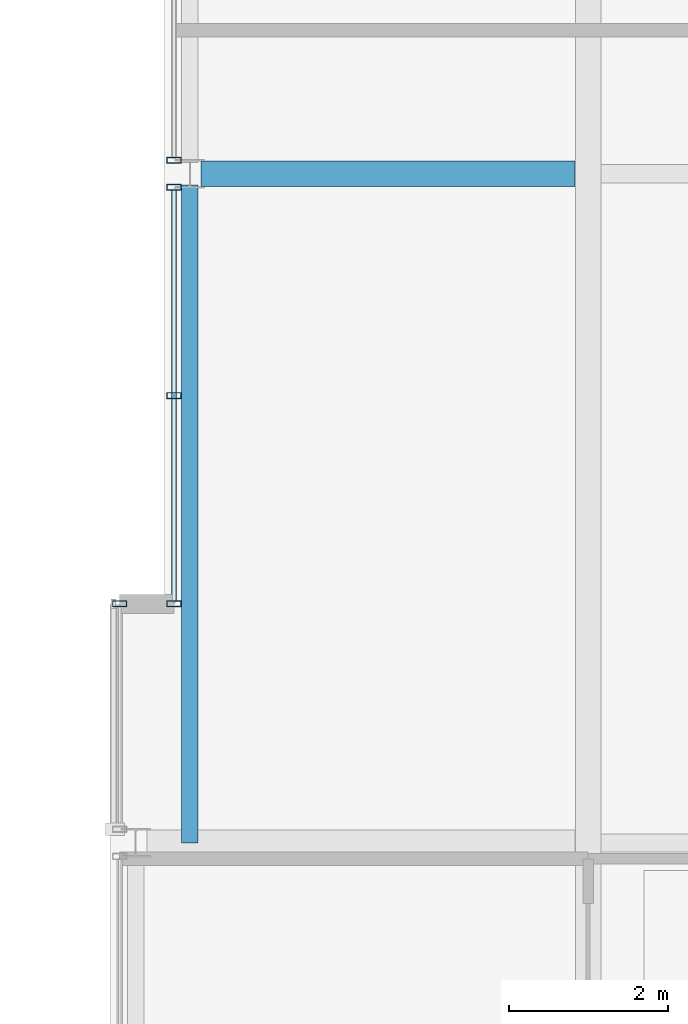
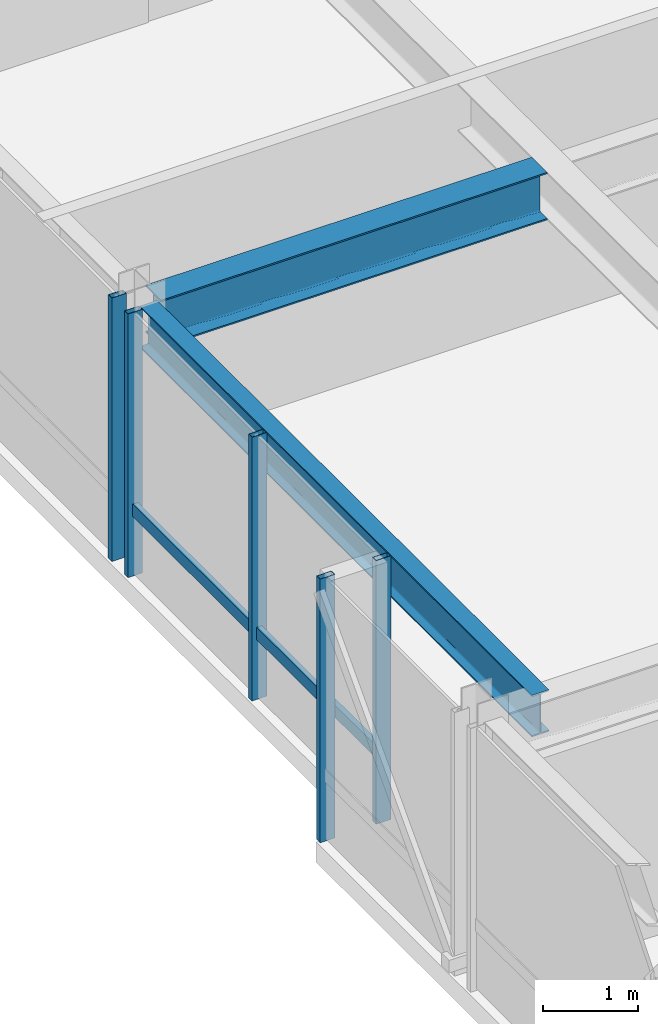
# One storey, part 11 of 33: 6 members, 2 beams, 3 elements without a shape of their own.
"""IFC4 building model written with IfcOpenShell, lengths in metres."""

from ifc_helpers import new_model, si_unit, direction, frame, origin, origin_2d, place, context, subcontext, project, spatial, hollow_rectangle, i_section, extrude, material, layer, layer_set, material_profile, profile_set, type_object, element, aggregate, save


model = new_model("IFC4")

# Units and contexts
model_context = context("Model", 3, precision=1e-05, world=origin(), true_north=direction((0.0, 1.0)))
body_context = subcontext(model_context, "Body", "Model", "MODEL_VIEW")
ifc_project = project(units=[si_unit("LENGTHUNIT", "METRE"), si_unit("AREAUNIT", "SQUARE_METRE"), si_unit("VOLUMEUNIT", "CUBIC_METRE"), si_unit("PLANEANGLEUNIT", "RADIAN"), si_unit("MASSUNIT", "GRAM", prefix="KILO")], contexts=[model_context])

# Site, building, storey
site_placement = place(None, origin())
site = spatial("IfcSite", under=ifc_project, at=site_placement, CompositionType="ELEMENT")
building_placement = place(site_placement, origin())
building = spatial("IfcBuilding", under=site, at=building_placement, Name="Drelvath Grand Hotel", CompositionType="ELEMENT")
storey_placement = place(building_placement, frame((0.0, 0.0, 275.949951171875)))
storey = spatial("IfcBuildingStorey", under=building, at=storey_placement, Name="L72", CompositionType="ELEMENT", Elevation=275.949951171875)

# Curtain wall, member
ifc_material_1 = material(Name="Platinum-Mist Anodised Aluminium Frame", Category="aluminium")
ifc_layer = layer(ifc_material_1, 0.199951171875)
ifc_layer_set = layer_set([ifc_layer], Name="Platinum-Mist Anodised Aluminium Frame")
curtain_wall_type = type_object("IfcCurtainWallType", Name="Stick Curtain Wall CW-05 Platinum Mist High-Rise", PredefinedType="NOTDEFINED", material=ifc_layer_set)
curtain_wall_1_placement = place(storey_placement, origin())
curtain_wall_1 = element("IfcCurtainWall", 1, at=curtain_wall_1_placement, inside=storey, type_object=curtain_wall_type, Name="L72 CW-05 Curtain Wall CW05-L72-WM1", PredefinedType="NOTDEFINED")
ifc_material_profile_1 = material_profile(ifc_material_1, hollow_rectangle(XDim=0.06494140625, YDim=0.159912109375, WallThickness=0.00390625, at=origin_2d()), Name="HSS160X65X4")
ifc_profile_set_1 = profile_set([ifc_material_profile_1], Name="Platinum-Mist Anodised Aluminium Frame")
member_type_1 = type_object("IfcMemberType", Name="Curtain Wall Horizontal Transom CW-05 HSS160X65X4", PredefinedType="USERDEFINED", material=ifc_profile_set_1)
member_1_placement = place(storey_placement, frame((-21.39990234375, 21.639892578125, 0.84765625), z_axis=(0.0, 1.0, 0.0), x_axis=(-1.0, 0.0, 0.0)))
member_1 = element("IfcMember", 2, at=member_1_placement, type_object=member_type_1, Name="CW05-L72-WM1 Sill Transom", ObjectType="TRANSOM", PredefinedType="USERDEFINED", context=body_context, shape_type="SweptSolid", body=[
    extrude(hollow_rectangle(XDim=0.06494140625, YDim=0.159912109375, WallThickness=0.00390625, at=origin_2d()), origin(), (0.0, 0.0, 1.0), 5.150146484375),
])

curtain_wall_2_placement = place(storey_placement, origin())
curtain_wall_2 = element("IfcCurtainWall", 3, at=curtain_wall_2_placement, inside=storey, type_object=curtain_wall_type, Name="L72 CW-05 Curtain Wall CW05-L72-WS2", PredefinedType="NOTDEFINED")
ifc_material_profile_2 = material_profile(ifc_material_1, hollow_rectangle(XDim=0.074951171875, YDim=0.179931640625, WallThickness=0.0048828125, at=origin_2d()), Name="HSS180X75X5")
ifc_profile_set_2 = profile_set([ifc_material_profile_2], Name="Platinum-Mist Anodised Aluminium Frame")
member_type_2 = type_object("IfcMemberType", Name="Curtain Wall Vertical Mullion CW-05 HSS180X75X5", PredefinedType="MULLION", material=ifc_profile_set_2)
member_2_placement = place(storey_placement, frame((-22.080078125, 21.60009765625, 0.0), z_axis=(0.0, 0.0, 1.0), x_axis=(0.0, 1.0, 0.0)))
member_2 = element("IfcMember", 4, at=member_2_placement, type_object=member_type_2, Name="CW05-L72-WS2 Mullion 2", PredefinedType="MULLION", context=body_context, shape_type="SweptSolid", body=[
    extrude(hollow_rectangle(XDim=0.074951171875, YDim=0.179931640625, WallThickness=0.0048828125, at=origin_2d()), origin(), (0.0, 0.0, 1.0), 3.39013671875),
])
aggregate(curtain_wall_2, [member_2])

# Member
member_3_placement = place(storey_placement, frame((-21.39990234375, 21.60009765625, 0.0), z_axis=(0.0, 0.0, 1.0), x_axis=(0.0, 1.0, 0.0)))
member_3 = element("IfcMember", 5, at=member_3_placement, type_object=member_type_2, Name="CW05-L72-WM1 Mullion 1", PredefinedType="MULLION", context=body_context, shape_type="SweptSolid", body=[
    extrude(hollow_rectangle(XDim=0.074951171875, YDim=0.179931640625, WallThickness=0.0048828125, at=origin_2d()), origin(), (0.0, 0.0, 1.0), 3.39013671875),
])

member_4_placement = place(storey_placement, frame((-21.39990234375, 24.215087890625, 0.0), z_axis=(0.0, 0.0, 1.0), x_axis=(0.0, 1.0, 0.0)))
member_4 = element("IfcMember", 6, at=member_4_placement, type_object=member_type_2, Name="CW05-L72-WM1 Mullion 2", PredefinedType="MULLION", context=body_context, shape_type="SweptSolid", body=[
    extrude(hollow_rectangle(XDim=0.074951171875, YDim=0.179931640625, WallThickness=0.0048828125, at=origin_2d()), origin(), (0.0, 0.0, 1.0), 3.39013671875),
])

member_5_placement = place(storey_placement, frame((-21.39990234375, 26.830078125, 0.0), z_axis=(0.0, 0.0, 1.0), x_axis=(0.0, 1.0, 0.0)))
member_5 = element("IfcMember", 7, at=member_5_placement, type_object=member_type_2, Name="CW05-L72-WM1 Mullion 3", PredefinedType="MULLION", context=body_context, shape_type="SweptSolid", body=[
    extrude(hollow_rectangle(XDim=0.074951171875, YDim=0.179931640625, WallThickness=0.0048828125, at=origin_2d()), origin(), (0.0, 0.0, 1.0), 3.39013671875),
])

aggregate(curtain_wall_1, [member_3, member_4, member_5, member_1])

# Curtain wall, member
curtain_wall_3_placement = place(storey_placement, origin())
curtain_wall_3 = element("IfcCurtainWall", 8, at=curtain_wall_3_placement, inside=storey, type_object=curtain_wall_type, Name="L72 CW-05 Curtain Wall CW05-L72-WM2", PredefinedType="NOTDEFINED")
member_6_placement = place(storey_placement, frame((-21.39990234375, 27.169921875, 0.0), z_axis=(0.0, 0.0, 1.0), x_axis=(0.0, 1.0, 0.0)))
member_6 = element("IfcMember", 9, at=member_6_placement, type_object=member_type_2, Name="CW05-L72-WM2 Mullion 1", PredefinedType="MULLION", context=body_context, shape_type="SweptSolid", body=[
    extrude(hollow_rectangle(XDim=0.074951171875, YDim=0.179931640625, WallThickness=0.0048828125, at=origin_2d()), origin(), (0.0, 0.0, 1.0), 3.39013671875),
])
aggregate(curtain_wall_3, [member_6])

# Beams
ifc_material_2 = material(Name="Steel ASTM A992 Gr 50", Category="steel")
ifc_material_profile_3 = material_profile(ifc_material_2, i_section(OverallWidth=0.210205078125, OverallDepth=0.53662109375, WebThickness=0.010986328125, FlangeThickness=0.017333984375, FilletRadius=0.01806640625, at=origin_2d()), Name="W21X68")
ifc_profile_set_3 = profile_set([ifc_material_profile_3], Name="Steel ASTM A992 Gr 50")
beam_type_1 = type_object("IfcBeamType", Name="Perimeter Spandrel Beam W21X68", PredefinedType="SPANDREL", material=ifc_profile_set_3)
beam_1_placement = place(storey_placement, frame((-21.199951171875, 18.60009765625, 3.12158203125), z_axis=(0.0, 1.0, 0.0), x_axis=(-1.0, 0.0, 0.0)))
element("IfcBeam", 10, at=beam_1_placement, inside=storey, type_object=beam_type_1, Name="L72 Spandrel West Mid S", PredefinedType="SPANDREL", context=body_context, shape_type="SweptSolid", body=[
    extrude(i_section(OverallWidth=0.210205078125, OverallDepth=0.53662109375, WebThickness=0.010986328125, FlangeThickness=0.017333984375, FilletRadius=0.01806640625, at=origin_2d()), origin(), (0.0, 0.0, 1.0), 8.260009765625),
])
ifc_material_profile_4 = material_profile(ifc_material_2, i_section(OverallWidth=0.323974609375, OverallDepth=0.611083984375, WebThickness=0.0126953125, FlangeThickness=0.01904296875, FilletRadius=0.02197265625, at=origin_2d()), Name="W24X104")
ifc_profile_set_4 = profile_set([ifc_material_profile_4], Name="Steel ASTM A992 Gr 50")
beam_type_2 = type_object("IfcBeamType", Name="Primary Floor Girder W24X104", PredefinedType="BEAM", material=ifc_profile_set_4)
beam_2_placement = place(storey_placement, frame((-21.06005859375, 27.0, 3.08447265625), z_axis=(1.0, 0.0, 0.0), x_axis=(0.0, 1.0, 0.0)))
element("IfcBeam", 11, at=beam_2_placement, inside=storey, type_object=beam_type_2, Name="L72 West Wing Girder E", PredefinedType="BEAM", context=body_context, shape_type="SweptSolid", body=[
    extrude(i_section(OverallWidth=0.323974609375, OverallDepth=0.611083984375, WebThickness=0.0126953125, FlangeThickness=0.01904296875, FilletRadius=0.02197265625, at=origin_2d()), origin(), (0.0, 0.0, 1.0), 4.697998046875),
])

save(model, "model.ifc")
